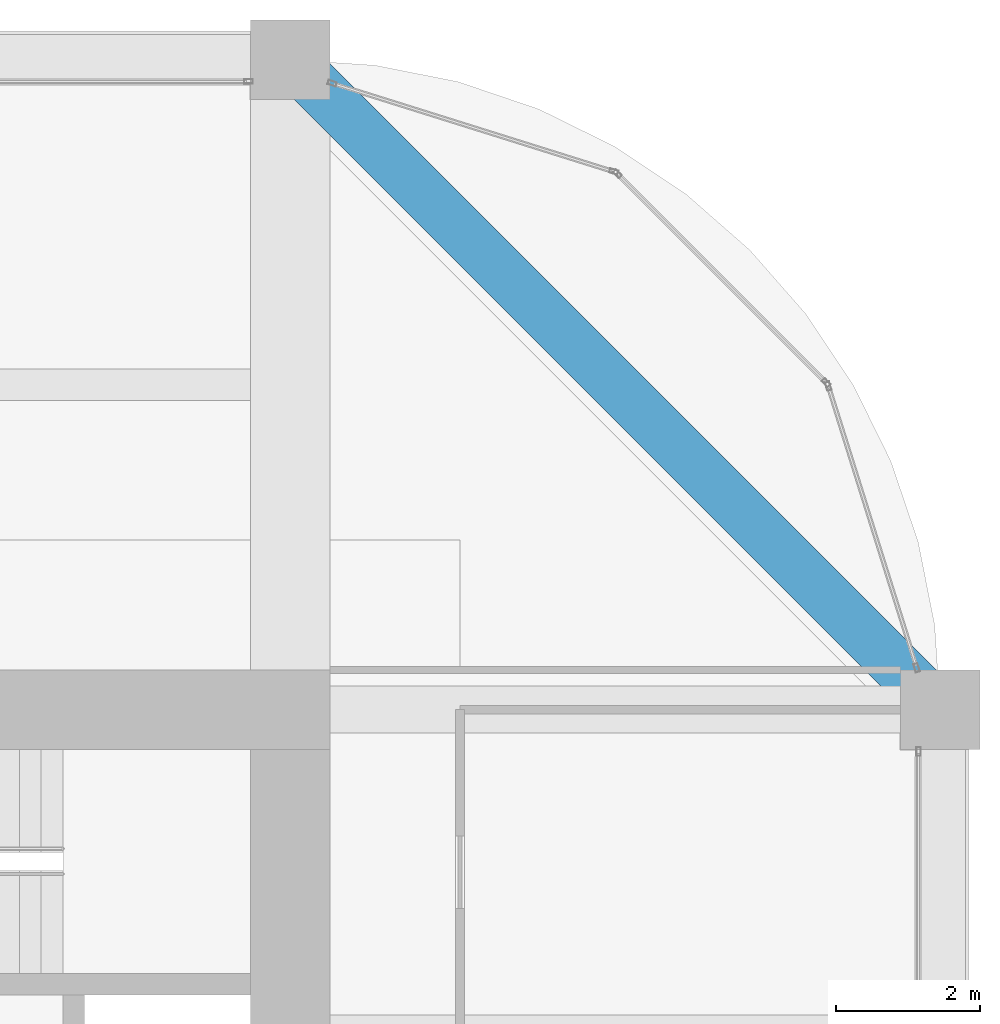
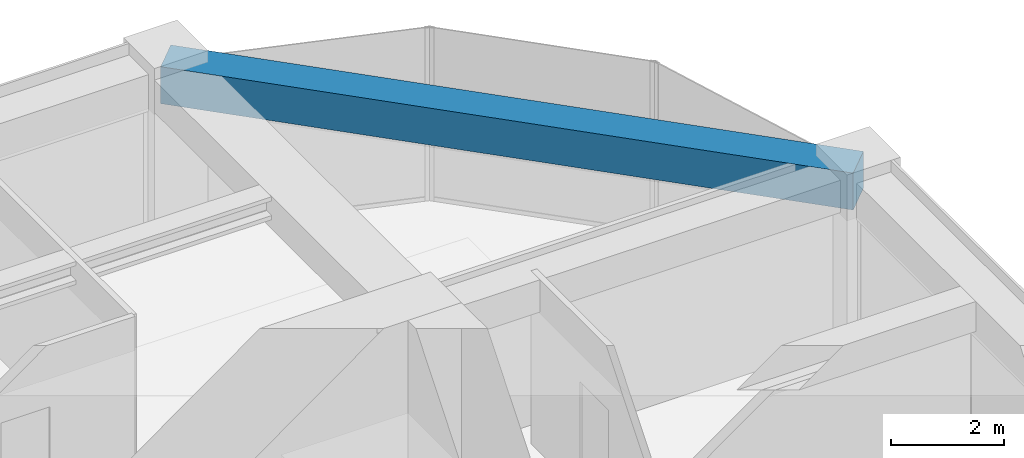
# One storey, part 38 of 45: 1 beam.
"""IFC4 building model written with IfcOpenShell, lengths in metres."""

from ifc_helpers import new_model, si_unit, direction, frame, origin, origin_2d, place, context, subcontext, project, spatial, rectangle, extrude, material, material_profile, profile_set, type_object, element, save


model = new_model("IFC4")

# Units and contexts
model_context = context("Model", 3, precision=1e-05, world=origin(), true_north=direction((0.0, 1.0)))
body_context = subcontext(model_context, "Body", "Model", "MODEL_VIEW")
ifc_project = project(units=[si_unit("LENGTHUNIT", "METRE"), si_unit("AREAUNIT", "SQUARE_METRE"), si_unit("VOLUMEUNIT", "CUBIC_METRE"), si_unit("PLANEANGLEUNIT", "RADIAN"), si_unit("MASSUNIT", "GRAM", prefix="KILO")], contexts=[model_context])

# Site, building, storey
site_placement = place(None, origin())
site = spatial("IfcSite", under=ifc_project, at=site_placement, CompositionType="ELEMENT")
building_placement = place(site_placement, origin())
building = spatial("IfcBuilding", under=site, at=building_placement, Name="Zorevar Civic Tower", CompositionType="ELEMENT")
storey_placement = place(building_placement, frame((0.0, 0.0, 279.39990234375)))
storey = spatial("IfcBuildingStorey", under=building, at=storey_placement, Name="L68", CompositionType="ELEMENT", Elevation=279.39990234375)

# Beam
ifc_material = material(Name="Concrete C50/60", Category="concrete")
ifc_material_profile = material_profile(ifc_material, rectangle(XDim=0.699951171875, YDim=0.800048828125, at=origin_2d()), Name="RC 700x800")
ifc_profile_set = profile_set([ifc_material_profile], Name="Concrete C50/60")
beam_type = type_object("IfcBeamType", Name="Edge beam RC 700x800", PredefinedType="SPANDREL", material=ifc_profile_set)
beam_placement = place(storey_placement, frame((54.0, 36.0, 3.35009765625), z_axis=(-0.707106781187, 0.707106781187, 0.0), x_axis=(-0.707106781187, -0.707106781187, 0.0)))
element("IfcBeam", 1, at=beam_placement, inside=storey, type_object=beam_type, Name="Corner edge beam L69", PredefinedType="SPANDREL", context=body_context, shape_type="SweptSolid", body=[
    extrude(rectangle(XDim=0.699951171875, YDim=0.800048828125, at=origin_2d()), origin(), (0.0, 0.0, 1.0), 12.72802734375),
])

save(model, "model.ifc")
